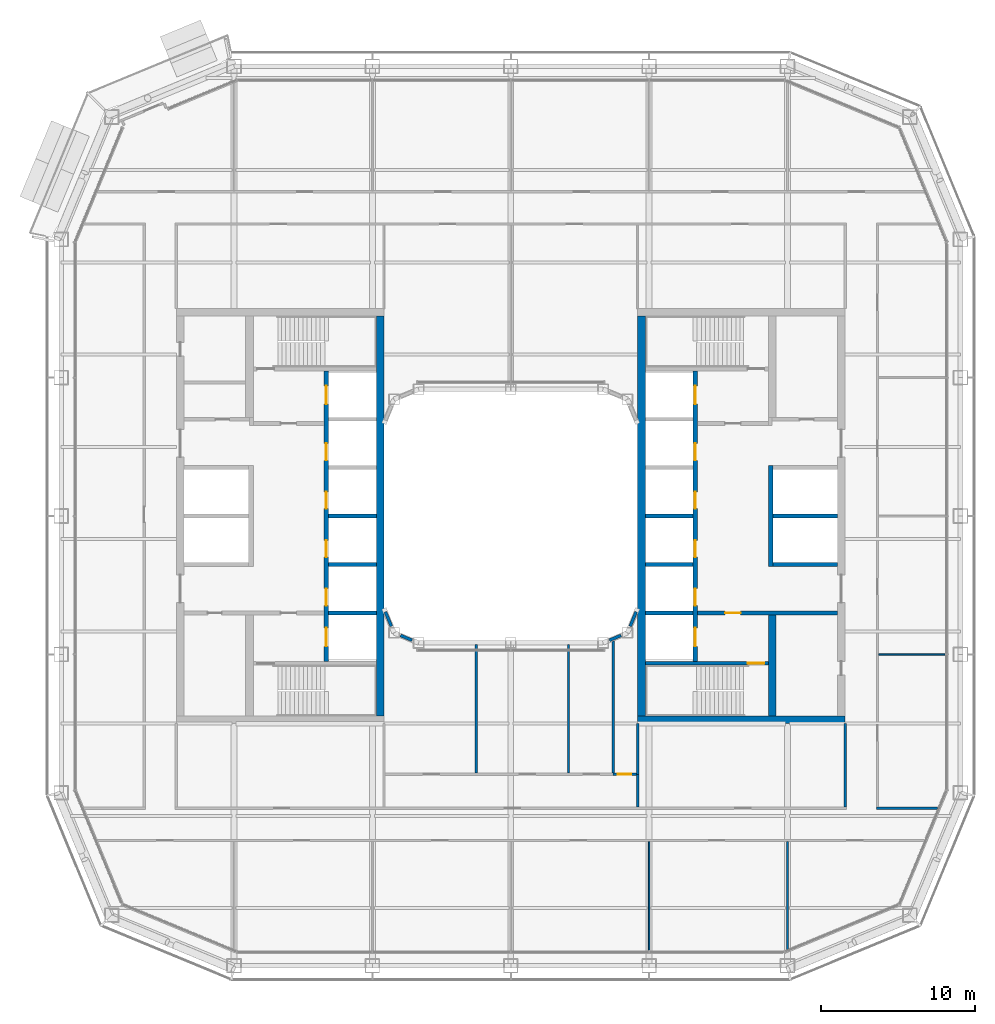
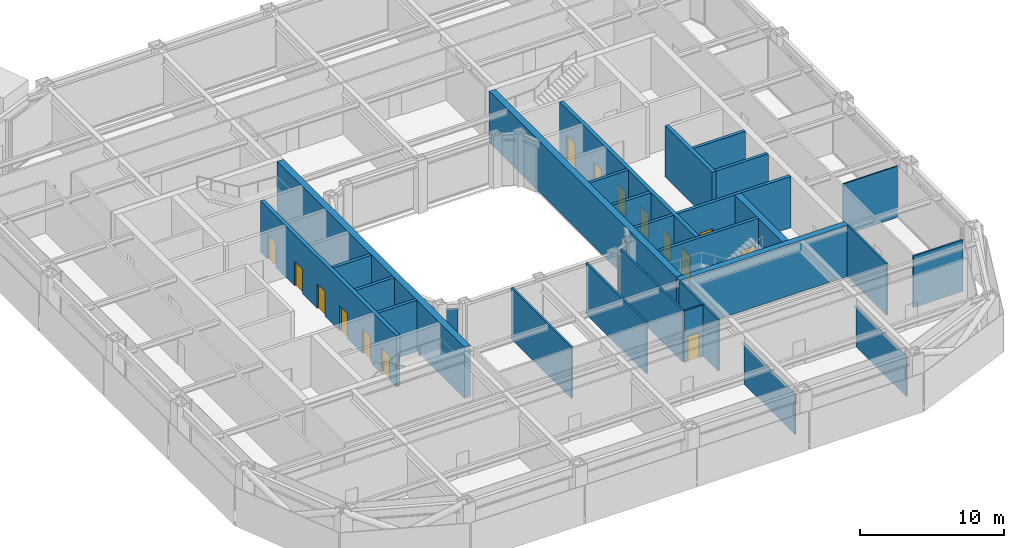
# One storey, part 12 of 23: 32 walls, 15 doors, 15 openings.
"""IFC4 building model written with IfcOpenShell, lengths in metres."""

import ifcopenshell
import ifcopenshell.guid

model = None  # the IFC model being written
_history = None  # IfcOwnerHistory: only IFC2X3 demands one
_inside = {}  # id of a spatial element -> (the spatial element, [elements in it])
_under = {}  # id of a project, library or spatial element -> (it, [spatial elements below it])
_declared = {}  # id of a project -> (the project, [libraries it declares])
_typed = {}  # id of a type object -> (the type object, [elements of that type])
_made_of = {}  # id of a material, layer set ... -> (it, [elements and type objects made of it])


def new_model(schema):
    """Start an empty IFC model of exactly this schema.

    Asked for "IFC4X3", IfcOpenShell would pick the latest addendum, in which some entities
    have other attributes; the version numbers below select the first issue.
    IFC2X3 requires an IfcOwnerHistory on every rooted entity: one is made here for all.
    """
    global model, _history
    if schema == "IFC4X3":
        model = ifcopenshell.file(schema_version=(4, 3, 0, 0))
    else:
        model = ifcopenshell.file(schema=schema)
    _inside.clear()
    _under.clear()
    _declared.clear()
    _typed.clear()
    _made_of.clear()
    _history = None
    if model.schema == "IFC2X3":
        org = make("IfcOrganization", Name="unknown")
        user = make(
            "IfcPersonAndOrganization",
            ThePerson=make("IfcPerson", FamilyName="unknown"),
            TheOrganization=org,
        )
        app = make(
            "IfcApplication",
            ApplicationDeveloper=org,
            Version="unknown",
            ApplicationFullName="unknown",
            ApplicationIdentifier="unknown",
        )
        _history = make(
            "IfcOwnerHistory",
            OwningUser=user,
            OwningApplication=app,
            ChangeAction="ADDED",
            CreationDate=0,
        )
    return model


def make(cls, **values):
    """One entity of the class cls with the attributes given. An attribute that is None is left unset."""
    return model.create_entity(
        cls, **{name: value for name, value in values.items() if value is not None}
    )


def rooted(cls, **values):
    """An entity with a GlobalId (a new one), such as an element, a storey or a relation."""
    return make(cls, GlobalId=ifcopenshell.guid.new(), OwnerHistory=_history, **values)


def si_unit(unit_type, name, prefix=None):
    """IfcSIUnit, for example si_unit("LENGTHUNIT", "METRE", prefix="MILLI")."""
    return make("IfcSIUnit", UnitType=unit_type, Prefix=prefix, Name=name)


def assignment(units):
    """IfcUnitAssignment: the units of a project."""
    return None if units is None else make("IfcUnitAssignment", Units=units)


def point(xyz):
    """IfcCartesianPoint."""
    return None if xyz is None else make("IfcCartesianPoint", Coordinates=xyz)


def direction(xyz):
    """IfcDirection."""
    return None if xyz is None else make("IfcDirection", DirectionRatios=xyz)


def frame(location, z_axis=None, x_axis=None):
    """IfcAxis2Placement3D, a coordinate frame: its origin and axes. An axis left out is left unset."""
    return make(
        "IfcAxis2Placement3D",
        Location=point(location),
        Axis=direction(z_axis),
        RefDirection=direction(x_axis),
    )


def frame_2d(location, x_axis=None):
    """IfcAxis2Placement2D, a coordinate frame in the plane: its origin and x axis."""
    return make(
        "IfcAxis2Placement2D", Location=point(location), RefDirection=direction(x_axis)
    )


def origin():
    """The frame at (0, 0, 0) with its axes left unset."""
    return frame((0.0, 0.0, 0.0))


def place(relative_to, where):
    """IfcLocalPlacement: puts the frame where relative to a parent placement (None: the world)."""
    return make(
        "IfcLocalPlacement", PlacementRelTo=relative_to, RelativePlacement=where
    )


def context(
    kind, dimensions, precision=None, world=None, true_north=None, identifier=None
):
    """IfcGeometricRepresentationContext, for example the 3D "Model" context."""
    return make(
        "IfcGeometricRepresentationContext",
        ContextIdentifier=identifier,
        ContextType=kind,
        CoordinateSpaceDimension=dimensions,
        Precision=precision,
        WorldCoordinateSystem=world,
        TrueNorth=true_north,
    )


def subcontext(parent, identifier, kind, view, scale=None):
    """IfcGeometricRepresentationSubContext, for example "Body" below "Model"."""
    return make(
        "IfcGeometricRepresentationSubContext",
        ContextIdentifier=identifier,
        ContextType=kind,
        ParentContext=parent,
        TargetScale=scale,
        TargetView=view,
    )


def project(units=None, contexts=None):
    """IfcProject with its units and contexts."""
    return rooted(
        "IfcProject",
        Name="project",
        RepresentationContexts=contexts,
        UnitsInContext=assignment(units),
    )


def spatial(cls, under=None, at=None, **own):
    """A site, building, storey or space (cls), placed at a placement, below another one or the project."""
    s = rooted(cls, ObjectPlacement=at, **own)
    if under is not None:
        _under.setdefault(under.id(), (under, []))[1].append(s)
    return s


def profile(cls, at=None, kind="AREA", **sizes):
    """A parametric profile (cls). Its sizes go by their IFC names, for example OverallWidth=200.0."""
    return make(cls, ProfileType=kind, Position=at, **sizes)


def rectangle(**sizes):
    """IfcRectangleProfileDef."""
    return profile("IfcRectangleProfileDef", **sizes)


def extrude(swept, where, along, depth):
    """IfcExtrudedAreaSolid: the profile swept, set in the frame where, extruded along a direction by depth."""
    return make(
        "IfcExtrudedAreaSolid",
        SweptArea=swept,
        Position=where,
        ExtrudedDirection=direction(along),
        Depth=depth,
    )


def shape(context_of_items, identifier, shape_type, items):
    """IfcShapeRepresentation: the items that make up one representation, for example the "Body"."""
    return make(
        "IfcShapeRepresentation",
        ContextOfItems=context_of_items,
        RepresentationIdentifier=identifier,
        RepresentationType=shape_type,
        Items=items,
    )


def material(Name=None, Category=None):
    """IfcMaterial."""
    return make("IfcMaterial", Name=Name, Category=Category)


def layer(
    of_material, thickness, ventilated=None, Name=None, Category=None, Priority=None
):
    """IfcMaterialLayer: one layer of a wall or slab, of a material (None: an air gap)."""
    return make(
        "IfcMaterialLayer",
        Material=of_material,
        LayerThickness=thickness,
        IsVentilated=ventilated,
        Name=Name,
        Category=Category,
        Priority=Priority,
    )


def layer_set(layers, Name=None):
    """IfcMaterialLayerSet."""
    return make("IfcMaterialLayerSet", MaterialLayers=layers, LayerSetName=Name)


def made_of(thing, what):
    """Note that an element or type object is made of a material, layer set ...; save() writes the relation."""
    if what is not None:
        _made_of.setdefault(what.id(), (what, []))[1].append(thing)
    return thing


def type_object(cls, material=None, **own):
    """A type object (cls), such as IfcWallType, which elements share."""
    return made_of(rooted(cls, **own), material)


def element(
    cls,
    number,
    at=None,
    inside=None,
    cuts=None,
    type_object=None,
    material=None,
    context=None,
    identifier="Body",
    shape_type=None,
    held_by="IfcProductDefinitionShape",
    body=None,
    shapes=None,
    **own,
):
    """One element of the class cls, such as IfcWall. Its Tag is "e" and its number.

    at: its placement. inside: the storey or other place that contains it. cuts: it is an
    opening in that element (IfcRelVoidsElement). A single representation is given by context,
    identifier, shape_type and body (its items); several are given by shapes. held_by: the class
    of the entity that holds the representations. save() writes the other relations.
    """
    e = rooted(cls, Tag="e%d" % number, ObjectPlacement=at, **own)
    if body is not None:
        shapes = [shape(context, identifier, shape_type, body)]
    if shapes is not None:
        e.Representation = make(held_by, Representations=shapes)
    if inside is not None:
        _inside.setdefault(inside.id(), (inside, []))[1].append(e)
    if cuts is not None:
        rooted(
            "IfcRelVoidsElement", RelatingBuildingElement=cuts, RelatedOpeningElement=e
        )
    if type_object is not None:
        _typed.setdefault(type_object.id(), (type_object, []))[1].append(e)
    return made_of(e, material)


def fill(opening, filler):
    """IfcRelFillsElement: the door or window that sits in an opening."""
    return rooted(
        "IfcRelFillsElement",
        RelatingOpeningElement=opening,
        RelatedBuildingElement=filler,
    )


def aggregate(whole, parts):
    """IfcRelAggregates: a whole, such as a stair, and the parts it consists of."""
    return rooted("IfcRelAggregates", RelatingObject=whole, RelatedObjects=parts)


def save(model, path):
    """Write the relations noted so far, then the file.

    IfcRelAggregates (storeys below a building ...), IfcRelContainedInSpatialStructure (elements
    in a storey), IfcRelDefinesByType, IfcRelAssociatesMaterial and IfcRelDeclares: one each for
    every whole, place, type object, material and project.
    """
    for whole, parts in _under.values():
        aggregate(whole, parts)
    for where, things in _inside.values():
        rooted(
            "IfcRelContainedInSpatialStructure",
            RelatedElements=things,
            RelatingStructure=where,
        )
    for kind, things in _typed.values():
        rooted("IfcRelDefinesByType", RelatedObjects=things, RelatingType=kind)
    for what, things in _made_of.values():
        rooted("IfcRelAssociatesMaterial", RelatedObjects=things, RelatingMaterial=what)
    for by, libraries in _declared.values():
        rooted("IfcRelDeclares", RelatingContext=by, RelatedDefinitions=libraries)
    model.write(path)


model = new_model("IFC4")

# Units and contexts
model_context = context("Model", 3, precision=1e-05, world=origin(), true_north=direction((0.0, 1.0)))
body_context = subcontext(model_context, "Body", "Model", "MODEL_VIEW")
ifc_project = project(units=[si_unit("LENGTHUNIT", "METRE"), si_unit("AREAUNIT", "SQUARE_METRE"), si_unit("VOLUMEUNIT", "CUBIC_METRE"), si_unit("PLANEANGLEUNIT", "RADIAN"), si_unit("MASSUNIT", "GRAM", prefix="KILO")], contexts=[model_context])

# Site, building, storey
site_placement = place(None, origin())
site = spatial("IfcSite", under=ifc_project, at=site_placement, CompositionType="ELEMENT")
building_placement = place(site_placement, origin())
building = spatial("IfcBuilding", under=site, at=building_placement, Name="Siwar Civic Tower", CompositionType="ELEMENT")
storey_placement = place(building_placement, frame((0.0, 0.0, 136.199951171875)))
storey = spatial("IfcBuildingStorey", under=building, at=storey_placement, Name="L29", CompositionType="ELEMENT", Elevation=136.199951171875)

# Wall, opening, door
ifc_material_1 = material(Name="Gypsum board on steel studs", Category="steel")
ifc_layer_1 = layer(ifc_material_1, 0.14990234375)
ifc_layer_set_1 = layer_set([ifc_layer_1], Name="Gypsum board on steel studs")
wall_type_1 = type_object("IfcWallType", Name="COMPARTMENT PARTITION 150 EI 60", PredefinedType="PARTITIONING", material=ifc_layer_set_1)
wall_1_placement = place(storey_placement, frame((6.659912109375, -16.800048828125, 0.0), z_axis=(0.0, 0.0, 1.0), x_axis=(1.0, 0.0, 0.0)))
wall_1 = element("IfcWall", 1, at=wall_1_placement, inside=storey, type_object=wall_type_1, Name="L29/wall/P06", PredefinedType="PARTITIONING", context=body_context, shape_type="SweptSolid", body=[
    extrude(rectangle(XDim=1.51513671875, YDim=0.14990234375, at=frame_2d((0.757568359375, 0.0))), origin(), (0.0, 0.0, 1.0), 4.35009765625),
])
opening_1_placement = place(wall_1_placement, frame((0.2900390625, 0.0, 0.0)))
opening_1 = element("IfcOpeningElement", 2, at=opening_1_placement, cuts=wall_1, Name="Opening D4", PredefinedType="OPENING", context=body_context, shape_type="SweptSolid", body=[
    extrude(rectangle(XDim=0.89990234375, YDim=2.10009765625, at=frame_2d((0.449951171875, 1.050048828125))), frame((0.0, 0.0849609375, 0.0), z_axis=(0.0, -1.0, 0.0), x_axis=(1.0, 0.0, 0.0)), (0.0, 0.0, 1.0), 0.169921875),
])
ifc_material_2 = material(Name="Timber, painted", Category="wood")
door_type_1 = type_object("IfcDoorType", Name="DOOR 900 X 2100 FD60", OperationType="SINGLE_SWING_LEFT", PredefinedType="DOOR", material=ifc_material_2)
door_1_placement = place(opening_1_placement, origin())
door_1 = element("IfcDoor", 3, at=door_1_placement, inside=storey, type_object=door_type_1, Name="L29-D19", OperationType="SINGLE_SWING_LEFT", OverallHeight=2.10009765625, OverallWidth=0.89990234375, PredefinedType="DOOR", context=body_context, shape_type="SweptSolid", body=[
    extrude(rectangle(XDim=0.89990234375, YDim=2.10009765625, at=frame_2d((0.449951171875, 1.050048828125))), frame((0.0, 0.02490234375, 0.0), z_axis=(0.0, -1.0, 0.0), x_axis=(1.0, 0.0, 0.0)), (0.0, 0.0, 1.0), 0.050048828125),
])
fill(opening_1, door_1)

# Walls
wall_2_placement = place(storey_placement, frame((6.659912109375, -16.72509765625, 0.0), z_axis=(0.0, 0.0, 1.0), x_axis=(0.0, 1.0, 0.0)))
element("IfcWall", 4, at=wall_2_placement, inside=storey, type_object=wall_type_1, Name="L29/wall/P28", PredefinedType="PARTITIONING", context=body_context, shape_type="SweptSolid", body=[
    extrude(rectangle(XDim=8.59814453125, YDim=0.14990234375, at=frame_2d((4.299072265625, 0.0))), origin(), (0.0, 0.0, 1.0), 4.35009765625),
])
wall_3_placement = place(storey_placement, frame((8.25, -16.800048828125, 0.0), z_axis=(0.0, 0.0, 1.0), x_axis=(0.0, 1.0, 0.0)))
element("IfcWall", 5, at=wall_3_placement, inside=storey, type_object=wall_type_1, Name="L29/wall/P31", PredefinedType="PARTITIONING", context=body_context, shape_type="SweptSolid", body=[
    extrude(rectangle(XDim=3.300048828125, YDim=0.14990234375, at=frame_2d((1.64990234375, 0.0))), origin(), (0.0, 0.0, 1.0), 4.35009765625),
])
ifc_material_3 = material(Name="Concrete C60/75", Category="concrete")
ifc_layer_2 = layer(ifc_material_3, 0.25)
ifc_layer_set_2 = layer_set([ifc_layer_2], Name="Concrete C60/75")
wall_type_2 = type_object("IfcWallType", Name="CORE-WALL-RC250", PredefinedType="SHEAR", material=ifc_layer_set_2)
for number, where, z_axis, x_axis, name in (
    (6, (-8.75, 0.0, 0.0), (0.0, 0.0, 1.0), (-1.0, 0.0, 0.0), "Core wall W"),
    (7, (-8.75, -3.14990234375, 0.0), (0.0, 0.0, 1.0), (-1.0, 0.0, 0.0), "Core wall W"),
    (8, (-8.75, -6.300048828125, 0.0), (0.0, 0.0, 1.0), (-1.0, 0.0, 0.0), "Core wall W"),
):
    element("IfcWall", number, at=place(storey_placement, frame(where, z_axis=z_axis, x_axis=x_axis)), inside=storey, type_object=wall_type_2, Name=name, PredefinedType="SHEAR", context=body_context, shape_type="SweptSolid", body=[
        extrude(rectangle(XDim=3.10009765625, YDim=0.25, at=frame_2d((1.550048828125, 0.0))), origin(), (0.0, 0.0, 1.0), 4.35009765625),
    ])

# Wall, opening, door
wall_4_placement = place(storey_placement, frame((12.14990234375, -6.300048828125, 0.0), z_axis=(0.0, 0.0, 1.0), x_axis=(1.0, 0.0, 0.0)))
wall_4 = element("IfcWall", 9, at=wall_4_placement, inside=storey, type_object=wall_type_2, Name="Core wall E", PredefinedType="SHEAR", context=body_context, shape_type="SweptSolid", body=[
    extrude(rectangle(XDim=9.10009765625, YDim=0.25, at=frame_2d((4.550048828125, 0.0))), origin(), (0.0, 0.0, 1.0), 4.35009765625),
])
opening_2_placement = place(wall_4_placement, frame((1.800048828125, 0.0, 0.0)))
opening_2 = element("IfcOpeningElement", 10, at=opening_2_placement, cuts=wall_4, Name="Opening L29-CE02", PredefinedType="OPENING", context=body_context, shape_type="SweptSolid", body=[
    extrude(rectangle(XDim=1.0, YDim=2.10009765625, at=frame_2d((0.5, 1.050048828125))), frame((0.0, 0.135009765625, 0.0), z_axis=(0.0, -1.0, 0.0), x_axis=(1.0, 0.0, 0.0)), (0.0, 0.0, 1.0), 0.27001953125),
])
ifc_material_4 = material(Name="Steel door leaf", Category="steel")
door_type_2 = type_object("IfcDoorType", Name="CORE-DOOR-FD30S", OperationType="SINGLE_SWING_LEFT", PredefinedType="DOOR", material=ifc_material_4)
door_2_placement = place(opening_2_placement, origin())
door_2 = element("IfcDoor", 11, at=door_2_placement, inside=storey, type_object=door_type_2, Name="Service lobby door L29-CE02", OperationType="SINGLE_SWING_LEFT", OverallHeight=2.10009765625, OverallWidth=1.0, PredefinedType="DOOR", context=body_context, shape_type="SweptSolid", body=[
    extrude(rectangle(XDim=1.0, YDim=2.10009765625, at=frame_2d((0.5, 1.050048828125))), frame((0.0, 0.02490234375, 0.0), z_axis=(0.0, -1.0, 0.0), x_axis=(1.0, 0.0, 0.0)), (0.0, 0.0, 1.0), 0.050048828125),
])
fill(opening_2, door_2)

# Walls
for number, where, z_axis, x_axis, name in (
    (12, (17.050048828125, 0.0, 0.0), (0.0, 0.0, 1.0), (1.0, 0.0, 0.0), "Core wall E"),
    (13, (17.050048828125, -3.14990234375, 0.0), (0.0, 0.0, 1.0), (1.0, 0.0, 0.0), "Core wall E"),
):
    element("IfcWall", number, at=place(storey_placement, frame(where, z_axis=z_axis, x_axis=x_axis)), inside=storey, type_object=wall_type_2, Name=name, PredefinedType="SHEAR", context=body_context, shape_type="SweptSolid", body=[
        extrude(rectangle(XDim=4.199951171875, YDim=0.25, at=frame_2d((2.10009765625, 0.0))), origin(), (0.0, 0.0, 1.0), 4.35009765625),
    ])
for number, where, z_axis, x_axis, name in (
    (14, (8.75, 0.0, 0.0), (0.0, 0.0, 1.0), (1.0, 0.0, 0.0), "Core wall E"),
    (15, (8.75, -3.14990234375, 0.0), (0.0, 0.0, 1.0), (1.0, 0.0, 0.0), "Core wall E"),
    (16, (8.75, -6.300048828125, 0.0), (0.0, 0.0, 1.0), (1.0, 0.0, 0.0), "Core wall E"),
):
    element("IfcWall", number, at=place(storey_placement, frame(where, z_axis=z_axis, x_axis=x_axis)), inside=storey, type_object=wall_type_2, Name=name, PredefinedType="SHEAR", context=body_context, shape_type="SweptSolid", body=[
        extrude(rectangle(XDim=3.10009765625, YDim=0.25, at=frame_2d((1.550048828125, 0.0))), origin(), (0.0, 0.0, 1.0), 4.35009765625),
    ])

# Wall, opening, door
wall_5_placement = place(storey_placement, frame((8.75, -9.574951171875, 0.0), z_axis=(0.0, 0.0, 1.0), x_axis=(1.0, 0.0, 0.0)))
wall_5 = element("IfcWall", 17, at=wall_5_placement, inside=storey, type_object=wall_type_2, Name="Core wall E", PredefinedType="SHEAR", context=body_context, shape_type="SweptSolid", body=[
    extrude(rectangle(XDim=8.0, YDim=0.25, at=frame_2d((4.0, 0.0))), origin(), (0.0, 0.0, 1.0), 4.35009765625),
])
opening_3_placement = place(wall_5_placement, frame((6.64990234375, 0.0, 0.0)))
opening_3 = element("IfcOpeningElement", 18, at=opening_3_placement, cuts=wall_5, Name="Opening L29-CE04", PredefinedType="OPENING", context=body_context, shape_type="SweptSolid", body=[
    extrude(rectangle(XDim=1.10009765625, YDim=2.10009765625, at=frame_2d((0.550048828125, 1.050048828125))), frame((0.0, 0.135009765625, 0.0), z_axis=(0.0, -1.0, 0.0), x_axis=(1.0, 0.0, 0.0)), (0.0, 0.0, 1.0), 0.27001953125),
])
ifc_material_5 = material(Name="Steel door leaf", Category="steel")
door_type_3 = type_object("IfcDoorType", Name="CORE-DOOR-FD60S", OperationType="SINGLE_SWING_LEFT", PredefinedType="DOOR", material=ifc_material_5)
door_3_placement = place(opening_3_placement, origin())
door_3 = element("IfcDoor", 19, at=door_3_placement, inside=storey, type_object=door_type_3, Name="Stair door L29-CE04", OperationType="SINGLE_SWING_RIGHT", OverallHeight=2.10009765625, OverallWidth=1.10009765625, PredefinedType="DOOR", context=body_context, shape_type="SweptSolid", body=[
    extrude(rectangle(XDim=1.10009765625, YDim=2.10009765625, at=frame_2d((0.550048828125, 1.050048828125))), frame((0.0, 0.02490234375, 0.0), z_axis=(0.0, -1.0, 0.0), x_axis=(1.0, 0.0, 0.0)), (0.0, 0.0, 1.0), 0.050048828125),
])
fill(opening_3, door_3)

# Wall, openings, doors
ifc_material_6 = material(Name="Concrete C60/75", Category="concrete")
ifc_layer_3 = layer(ifc_material_6, 0.300048828125)
ifc_layer_set_3 = layer_set([ifc_layer_3], Name="Concrete C60/75")
wall_type_3 = type_object("IfcWallType", Name="CORE-WALL-RC300", PredefinedType="SHEAR", material=ifc_layer_set_3)
wall_6_placement = place(storey_placement, frame((-12.0, -9.449951171875, 0.0), z_axis=(0.0, 0.0, 1.0), x_axis=(0.0, 1.0, 0.0)))
wall_6 = element("IfcWall", 20, at=wall_6_placement, inside=storey, type_object=wall_type_3, Name="Core wall W", PredefinedType="SHEAR", context=body_context, shape_type="SweptSolid", body=[
    extrude(rectangle(XDim=18.89990234375, YDim=0.300048828125, at=frame_2d((9.449951171875, 0.0))), origin(), (0.0, 0.0, 1.0), 4.35009765625),
])
opening_4_placement = place(wall_6_placement, frame((3.625, 0.0, 0.0)))
opening_4 = element("IfcOpeningElement", 21, at=opening_4_placement, cuts=wall_6, Name="Opening L29-CW07", PredefinedType="OPENING", context=body_context, shape_type="SweptSolid", body=[
    extrude(rectangle(XDim=1.10009765625, YDim=2.10009765625, at=frame_2d((0.550048828125, 1.050048828125))), frame((0.0, 0.16015625, 0.0), z_axis=(0.0, -1.0, 0.0), x_axis=(1.0, 0.0, 0.0)), (0.0, 0.0, 1.0), 0.320068359375),
])
opening_5_placement = place(wall_6_placement, frame((6.77490234375, 0.0, 0.0)))
opening_5 = element("IfcOpeningElement", 22, at=opening_5_placement, cuts=wall_6, Name="Opening L29-CW08", PredefinedType="OPENING", context=body_context, shape_type="SweptSolid", body=[
    extrude(rectangle(XDim=1.10009765625, YDim=2.10009765625, at=frame_2d((0.550048828125, 1.050048828125))), frame((0.0, 0.16015625, 0.0), z_axis=(0.0, -1.0, 0.0), x_axis=(1.0, 0.0, 0.0)), (0.0, 0.0, 1.0), 0.320068359375),
])
opening_6_placement = place(wall_6_placement, frame((9.925048828125, 0.0, 0.0)))
opening_6 = element("IfcOpeningElement", 23, at=opening_6_placement, cuts=wall_6, Name="Opening L29-CW09", PredefinedType="OPENING", context=body_context, shape_type="SweptSolid", body=[
    extrude(rectangle(XDim=1.10009765625, YDim=2.10009765625, at=frame_2d((0.550048828125, 1.050048828125))), frame((0.0, 0.16015625, 0.0), z_axis=(0.0, -1.0, 0.0), x_axis=(1.0, 0.0, 0.0)), (0.0, 0.0, 1.0), 0.320068359375),
])
opening_7_placement = place(wall_6_placement, frame((13.074951171875, 0.0, 0.0)))
opening_7 = element("IfcOpeningElement", 24, at=opening_7_placement, cuts=wall_6, Name="Opening L29-CW10", PredefinedType="OPENING", context=body_context, shape_type="SweptSolid", body=[
    extrude(rectangle(XDim=1.10009765625, YDim=2.10009765625, at=frame_2d((0.550048828125, 1.050048828125))), frame((0.0, 0.16015625, 0.0), z_axis=(0.0, -1.0, 0.0), x_axis=(1.0, 0.0, 0.0)), (0.0, 0.0, 1.0), 0.320068359375),
])
opening_8_placement = place(wall_6_placement, frame((16.72509765625, 0.0, 0.0)))
opening_8 = element("IfcOpeningElement", 25, at=opening_8_placement, cuts=wall_6, Name="Opening L29-CW11", PredefinedType="OPENING", context=body_context, shape_type="SweptSolid", body=[
    extrude(rectangle(XDim=1.199951171875, YDim=2.10009765625, at=frame_2d((0.60009765625, 1.050048828125))), frame((0.0, 0.16015625, 0.0), z_axis=(0.0, -1.0, 0.0), x_axis=(1.0, 0.0, 0.0)), (0.0, 0.0, 1.0), 0.320068359375),
])
opening_9_placement = place(wall_6_placement, frame((0.97509765625, 0.0, 0.0)))
opening_9 = element("IfcOpeningElement", 26, at=opening_9_placement, cuts=wall_6, Name="Opening L29-CW12", PredefinedType="OPENING", context=body_context, shape_type="SweptSolid", body=[
    extrude(rectangle(XDim=1.199951171875, YDim=2.10009765625, at=frame_2d((0.60009765625, 1.050048828125))), frame((0.0, 0.16015625, 0.0), z_axis=(0.0, -1.0, 0.0), x_axis=(1.0, 0.0, 0.0)), (0.0, 0.0, 1.0), 0.320068359375),
])
ifc_material_7 = material(Name="Steel door leaf", Category="steel")
door_type_4 = type_object("IfcDoorType", Name="CORE-DOOR-LD", OperationType="DOUBLE_DOOR_SLIDING", PredefinedType="DOOR", material=ifc_material_7)
door_4_placement = place(opening_4_placement, origin())
door_4 = element("IfcDoor", 27, at=door_4_placement, inside=storey, type_object=door_type_4, Name="Landing door LR1 L29-CW07", OperationType="DOUBLE_DOOR_SLIDING", OverallHeight=2.10009765625, OverallWidth=1.10009765625, PredefinedType="DOOR", context=body_context, shape_type="SweptSolid", body=[
    extrude(rectangle(XDim=1.10009765625, YDim=2.10009765625, at=frame_2d((0.550048828125, 1.050048828125))), frame((0.0, 0.02490234375, 0.0), z_axis=(0.0, -1.0, 0.0), x_axis=(1.0, 0.0, 0.0)), (0.0, 0.0, 1.0), 0.050048828125),
])
fill(opening_4, door_4)
door_5_placement = place(opening_5_placement, origin())
door_5 = element("IfcDoor", 28, at=door_5_placement, inside=storey, type_object=door_type_4, Name="Landing door LR2 L29-CW08", OperationType="DOUBLE_DOOR_SLIDING", OverallHeight=2.10009765625, OverallWidth=1.10009765625, PredefinedType="DOOR", context=body_context, shape_type="SweptSolid", body=[
    extrude(rectangle(XDim=1.10009765625, YDim=2.10009765625, at=frame_2d((0.550048828125, 1.050048828125))), frame((0.0, 0.02490234375, 0.0), z_axis=(0.0, -1.0, 0.0), x_axis=(1.0, 0.0, 0.0)), (0.0, 0.0, 1.0), 0.050048828125),
])
fill(opening_5, door_5)
door_6_placement = place(opening_6_placement, origin())
door_6 = element("IfcDoor", 29, at=door_6_placement, inside=storey, type_object=door_type_4, Name="Landing door LR3 L29-CW09", OperationType="DOUBLE_DOOR_SLIDING", OverallHeight=2.10009765625, OverallWidth=1.10009765625, PredefinedType="DOOR", context=body_context, shape_type="SweptSolid", body=[
    extrude(rectangle(XDim=1.10009765625, YDim=2.10009765625, at=frame_2d((0.550048828125, 1.050048828125))), frame((0.0, 0.02490234375, 0.0), z_axis=(0.0, -1.0, 0.0), x_axis=(1.0, 0.0, 0.0)), (0.0, 0.0, 1.0), 0.050048828125),
])
fill(opening_6, door_6)
door_7_placement = place(opening_7_placement, origin())
door_7 = element("IfcDoor", 30, at=door_7_placement, inside=storey, type_object=door_type_4, Name="Landing door LR4 L29-CW10", OperationType="DOUBLE_DOOR_SLIDING", OverallHeight=2.10009765625, OverallWidth=1.10009765625, PredefinedType="DOOR", context=body_context, shape_type="SweptSolid", body=[
    extrude(rectangle(XDim=1.10009765625, YDim=2.10009765625, at=frame_2d((0.550048828125, 1.050048828125))), frame((0.0, 0.02490234375, 0.0), z_axis=(0.0, -1.0, 0.0), x_axis=(1.0, 0.0, 0.0)), (0.0, 0.0, 1.0), 0.050048828125),
])
fill(opening_7, door_7)
ifc_material_8 = material(Name="Steel door leaf", Category="steel")
door_type_5 = type_object("IfcDoorType", Name="CORE-DOOR-LDW", OperationType="DOUBLE_DOOR_SLIDING", PredefinedType="DOOR", material=ifc_material_8)
door_8_placement = place(opening_8_placement, origin())
door_8 = element("IfcDoor", 31, at=door_8_placement, inside=storey, type_object=door_type_5, Name="Landing door FF1 L29-CW11", OperationType="DOUBLE_DOOR_SLIDING", OverallHeight=2.10009765625, OverallWidth=1.199951171875, PredefinedType="DOOR", context=body_context, shape_type="SweptSolid", body=[
    extrude(rectangle(XDim=1.199951171875, YDim=2.10009765625, at=frame_2d((0.60009765625, 1.050048828125))), frame((0.0, 0.02490234375, 0.0), z_axis=(0.0, -1.0, 0.0), x_axis=(1.0, 0.0, 0.0)), (0.0, 0.0, 1.0), 0.050048828125),
])
fill(opening_8, door_8)
door_9_placement = place(opening_9_placement, origin())
door_9 = element("IfcDoor", 32, at=door_9_placement, inside=storey, type_object=door_type_5, Name="Landing door SV1 L29-CW12", OperationType="DOUBLE_DOOR_SLIDING", OverallHeight=2.10009765625, OverallWidth=1.199951171875, PredefinedType="DOOR", context=body_context, shape_type="SweptSolid", body=[
    extrude(rectangle(XDim=1.199951171875, YDim=2.10009765625, at=frame_2d((0.60009765625, 1.050048828125))), frame((0.0, 0.02490234375, 0.0), z_axis=(0.0, -1.0, 0.0), x_axis=(1.0, 0.0, 0.0)), (0.0, 0.0, 1.0), 0.050048828125),
])
fill(opening_9, door_9)

wall_7_placement = place(storey_placement, frame((12.0, -9.449951171875, 0.0), z_axis=(0.0, 0.0, 1.0), x_axis=(0.0, 1.0, 0.0)))
wall_7 = element("IfcWall", 33, at=wall_7_placement, inside=storey, type_object=wall_type_3, Name="Core wall E", PredefinedType="SHEAR", context=body_context, shape_type="SweptSolid", body=[
    extrude(rectangle(XDim=18.89990234375, YDim=0.300048828125, at=frame_2d((9.449951171875, 0.0))), origin(), (0.0, 0.0, 1.0), 4.35009765625),
])
opening_10_placement = place(wall_7_placement, frame((3.625, 0.0, 0.0)))
opening_10 = element("IfcOpeningElement", 34, at=opening_10_placement, cuts=wall_7, Name="Opening L29-CE07", PredefinedType="OPENING", context=body_context, shape_type="SweptSolid", body=[
    extrude(rectangle(XDim=1.10009765625, YDim=2.10009765625, at=frame_2d((0.550048828125, 1.050048828125))), frame((0.0, 0.16015625, 0.0), z_axis=(0.0, -1.0, 0.0), x_axis=(1.0, 0.0, 0.0)), (0.0, 0.0, 1.0), 0.320068359375),
])
opening_11_placement = place(wall_7_placement, frame((6.77490234375, 0.0, 0.0)))
opening_11 = element("IfcOpeningElement", 35, at=opening_11_placement, cuts=wall_7, Name="Opening L29-CE08", PredefinedType="OPENING", context=body_context, shape_type="SweptSolid", body=[
    extrude(rectangle(XDim=1.10009765625, YDim=2.10009765625, at=frame_2d((0.550048828125, 1.050048828125))), frame((0.0, 0.16015625, 0.0), z_axis=(0.0, -1.0, 0.0), x_axis=(1.0, 0.0, 0.0)), (0.0, 0.0, 1.0), 0.320068359375),
])
opening_12_placement = place(wall_7_placement, frame((9.925048828125, 0.0, 0.0)))
opening_12 = element("IfcOpeningElement", 36, at=opening_12_placement, cuts=wall_7, Name="Opening L29-CE09", PredefinedType="OPENING", context=body_context, shape_type="SweptSolid", body=[
    extrude(rectangle(XDim=1.10009765625, YDim=2.10009765625, at=frame_2d((0.550048828125, 1.050048828125))), frame((0.0, 0.16015625, 0.0), z_axis=(0.0, -1.0, 0.0), x_axis=(1.0, 0.0, 0.0)), (0.0, 0.0, 1.0), 0.320068359375),
])
opening_13_placement = place(wall_7_placement, frame((13.074951171875, 0.0, 0.0)))
opening_13 = element("IfcOpeningElement", 37, at=opening_13_placement, cuts=wall_7, Name="Opening L29-CE10", PredefinedType="OPENING", context=body_context, shape_type="SweptSolid", body=[
    extrude(rectangle(XDim=1.10009765625, YDim=2.10009765625, at=frame_2d((0.550048828125, 1.050048828125))), frame((0.0, 0.16015625, 0.0), z_axis=(0.0, -1.0, 0.0), x_axis=(1.0, 0.0, 0.0)), (0.0, 0.0, 1.0), 0.320068359375),
])
opening_14_placement = place(wall_7_placement, frame((16.72509765625, 0.0, 0.0)))
opening_14 = element("IfcOpeningElement", 38, at=opening_14_placement, cuts=wall_7, Name="Opening L29-CE11", PredefinedType="OPENING", context=body_context, shape_type="SweptSolid", body=[
    extrude(rectangle(XDim=1.199951171875, YDim=2.10009765625, at=frame_2d((0.60009765625, 1.050048828125))), frame((0.0, 0.16015625, 0.0), z_axis=(0.0, -1.0, 0.0), x_axis=(1.0, 0.0, 0.0)), (0.0, 0.0, 1.0), 0.320068359375),
])
opening_15_placement = place(wall_7_placement, frame((0.97509765625, 0.0, 0.0)))
opening_15 = element("IfcOpeningElement", 39, at=opening_15_placement, cuts=wall_7, Name="Opening L29-CE12", PredefinedType="OPENING", context=body_context, shape_type="SweptSolid", body=[
    extrude(rectangle(XDim=1.199951171875, YDim=2.10009765625, at=frame_2d((0.60009765625, 1.050048828125))), frame((0.0, 0.16015625, 0.0), z_axis=(0.0, -1.0, 0.0), x_axis=(1.0, 0.0, 0.0)), (0.0, 0.0, 1.0), 0.320068359375),
])
door_10_placement = place(opening_10_placement, origin())
door_10 = element("IfcDoor", 40, at=door_10_placement, inside=storey, type_object=door_type_4, Name="Landing door LR5 L29-CE07", OperationType="DOUBLE_DOOR_SLIDING", OverallHeight=2.10009765625, OverallWidth=1.10009765625, PredefinedType="DOOR", context=body_context, shape_type="SweptSolid", body=[
    extrude(rectangle(XDim=1.10009765625, YDim=2.10009765625, at=frame_2d((0.550048828125, 1.050048828125))), frame((0.0, 0.02490234375, 0.0), z_axis=(0.0, -1.0, 0.0), x_axis=(1.0, 0.0, 0.0)), (0.0, 0.0, 1.0), 0.050048828125),
])
fill(opening_10, door_10)
door_11_placement = place(opening_11_placement, origin())
door_11 = element("IfcDoor", 41, at=door_11_placement, inside=storey, type_object=door_type_4, Name="Landing door LR6 L29-CE08", OperationType="DOUBLE_DOOR_SLIDING", OverallHeight=2.10009765625, OverallWidth=1.10009765625, PredefinedType="DOOR", context=body_context, shape_type="SweptSolid", body=[
    extrude(rectangle(XDim=1.10009765625, YDim=2.10009765625, at=frame_2d((0.550048828125, 1.050048828125))), frame((0.0, 0.02490234375, 0.0), z_axis=(0.0, -1.0, 0.0), x_axis=(1.0, 0.0, 0.0)), (0.0, 0.0, 1.0), 0.050048828125),
])
fill(opening_11, door_11)
door_12_placement = place(opening_12_placement, origin())
door_12 = element("IfcDoor", 42, at=door_12_placement, inside=storey, type_object=door_type_4, Name="Landing door LR7 L29-CE09", OperationType="DOUBLE_DOOR_SLIDING", OverallHeight=2.10009765625, OverallWidth=1.10009765625, PredefinedType="DOOR", context=body_context, shape_type="SweptSolid", body=[
    extrude(rectangle(XDim=1.10009765625, YDim=2.10009765625, at=frame_2d((0.550048828125, 1.050048828125))), frame((0.0, 0.02490234375, 0.0), z_axis=(0.0, -1.0, 0.0), x_axis=(1.0, 0.0, 0.0)), (0.0, 0.0, 1.0), 0.050048828125),
])
fill(opening_12, door_12)
door_13_placement = place(opening_13_placement, origin())
door_13 = element("IfcDoor", 43, at=door_13_placement, inside=storey, type_object=door_type_4, Name="Landing door LR8 L29-CE10", OperationType="DOUBLE_DOOR_SLIDING", OverallHeight=2.10009765625, OverallWidth=1.10009765625, PredefinedType="DOOR", context=body_context, shape_type="SweptSolid", body=[
    extrude(rectangle(XDim=1.10009765625, YDim=2.10009765625, at=frame_2d((0.550048828125, 1.050048828125))), frame((0.0, 0.02490234375, 0.0), z_axis=(0.0, -1.0, 0.0), x_axis=(1.0, 0.0, 0.0)), (0.0, 0.0, 1.0), 0.050048828125),
])
fill(opening_13, door_13)
door_14_placement = place(opening_14_placement, origin())
door_14 = element("IfcDoor", 44, at=door_14_placement, inside=storey, type_object=door_type_5, Name="Landing door FF2 L29-CE11", OperationType="DOUBLE_DOOR_SLIDING", OverallHeight=2.10009765625, OverallWidth=1.199951171875, PredefinedType="DOOR", context=body_context, shape_type="SweptSolid", body=[
    extrude(rectangle(XDim=1.199951171875, YDim=2.10009765625, at=frame_2d((0.60009765625, 1.050048828125))), frame((0.0, 0.02490234375, 0.0), z_axis=(0.0, -1.0, 0.0), x_axis=(1.0, 0.0, 0.0)), (0.0, 0.0, 1.0), 0.050048828125),
])
fill(opening_14, door_14)
door_15_placement = place(opening_15_placement, origin())
door_15 = element("IfcDoor", 45, at=door_15_placement, inside=storey, type_object=door_type_5, Name="Landing door SV2 L29-CE12", OperationType="DOUBLE_DOOR_SLIDING", OverallHeight=2.10009765625, OverallWidth=1.199951171875, PredefinedType="DOOR", context=body_context, shape_type="SweptSolid", body=[
    extrude(rectangle(XDim=1.199951171875, YDim=2.10009765625, at=frame_2d((0.60009765625, 1.050048828125))), frame((0.0, 0.02490234375, 0.0), z_axis=(0.0, -1.0, 0.0), x_axis=(1.0, 0.0, 0.0)), (0.0, 0.0, 1.0), 0.050048828125),
])
fill(opening_15, door_15)

# Walls
wall_8_placement = place(storey_placement, frame((16.89990234375, -3.27490234375, 0.0), z_axis=(0.0, 0.0, 1.0), x_axis=(0.0, 1.0, 0.0)))
element("IfcWall", 46, at=wall_8_placement, inside=storey, type_object=wall_type_3, Name="Core wall E", PredefinedType="SHEAR", context=body_context, shape_type="SweptSolid", body=[
    extrude(rectangle(XDim=6.5498046875, YDim=0.300048828125, at=frame_2d((3.27490234375, 0.0))), origin(), (0.0, 0.0, 1.0), 4.35009765625),
])
ifc_material_9 = material(Name="Concrete C60/75", Category="concrete")
ifc_layer_4 = layer(ifc_material_9, 0.5)
ifc_layer_set_4 = layer_set([ifc_layer_4], Name="Concrete C60/75")
wall_type_4 = type_object("IfcWallType", Name="CORE-WALL-RC500", PredefinedType="SHEAR", material=ifc_layer_set_4)
wall_9_placement = place(storey_placement, frame((17.0, -13.0, 0.0), z_axis=(0.0, 0.0, 1.0), x_axis=(0.0, 1.0, 0.0)))
element("IfcWall", 47, at=wall_9_placement, inside=storey, type_object=wall_type_4, Name="Core wall E", PredefinedType="SHEAR", context=body_context, shape_type="SweptSolid", body=[
    extrude(rectangle(XDim=6.574951171875, YDim=0.5, at=frame_2d((3.28759765625, 0.0))), origin(), (0.0, 0.0, 1.0), 4.35009765625),
])
wall_10_placement = place(storey_placement, frame((8.25, -13.25, 0.0), z_axis=(0.0, 0.0, 1.0), x_axis=(1.0, 0.0, 0.0)))
element("IfcWall", 48, at=wall_10_placement, inside=storey, type_object=wall_type_4, Name="Core wall E", PredefinedType="SHEAR", context=body_context, shape_type="SweptSolid", body=[
    extrude(rectangle(XDim=13.5, YDim=0.5, at=frame_2d((6.75, 0.0))), origin(), (0.0, 0.0, 1.0), 4.35009765625),
])
ifc_material_10 = material(Name="Concrete C60/75", Category="concrete")
ifc_layer_5 = layer(ifc_material_10, 0.5)
ifc_layer_set_5 = layer_set([ifc_layer_5], Name="Concrete C60/75")
wall_type_5 = type_object("IfcWallType", Name="CORE-WALL-RC500-EXT", PredefinedType="SHEAR", material=ifc_layer_set_5)
for number, where, z_axis, x_axis, name in (
    (49, (-8.5, -13.0, 0.0), (0.0, 0.0, 1.0), (0.0, 1.0, 0.0), "Core wall W"),
    (50, (8.5, -13.0, 0.0), (0.0, 0.0, 1.0), (0.0, 1.0, 0.0), "Core wall E"),
):
    element("IfcWall", number, at=place(storey_placement, frame(where, z_axis=z_axis, x_axis=x_axis)), inside=storey, type_object=wall_type_5, Name=name, PredefinedType="SHEAR", context=body_context, shape_type="SweptSolid", body=[
        extrude(rectangle(XDim=26.0, YDim=0.5, at=frame_2d((13.0, 0.0))), origin(), (0.0, 0.0, 1.0), 4.35009765625),
    ])
ifc_material_11 = material(Name="Gypsum board on steel studs", Category="steel")
ifc_layer_6 = layer(ifc_material_11, 0.14990234375)
ifc_layer_set_6 = layer_set([ifc_layer_6], Name="Gypsum board on steel studs")
wall_type_6 = type_object("IfcWallType", Name="CORRIDOR PARTITION 150 EI 30", PredefinedType="PARTITIONING", material=ifc_layer_set_6)
wall_11_placement = place(storey_placement, frame((23.77490234375, -19.0, 0.0), z_axis=(0.0, 0.0, 1.0), x_axis=(1.0, 0.0, 0.0)))
element("IfcWall", 51, at=wall_11_placement, inside=storey, type_object=wall_type_6, Name="L29/wall/P04", PredefinedType="PARTITIONING", context=body_context, shape_type="SweptSolid", body=[
    extrude(rectangle(XDim=3.989013671875, YDim=0.14990234375, at=frame_2d((1.99462890625, 0.0))), origin(), (0.0, 0.0, 1.0), 4.35009765625),
])
for number, where, z_axis, x_axis, name in (
    (52, (-2.25, -16.72509765625, 0.0), (0.0, 0.0, 1.0), (0.0, 1.0, 0.0), "L29/wall/P23"),
    (53, (3.75, -16.72509765625, 0.0), (0.0, 0.0, 1.0), (0.0, 1.0, 0.0), "L29/wall/P27"),
):
    element("IfcWall", number, at=place(storey_placement, frame(where, z_axis=z_axis, x_axis=x_axis)), inside=storey, type_object=wall_type_6, Name=name, PredefinedType="PARTITIONING", context=body_context, shape_type="SweptSolid", body=[
        extrude(rectangle(XDim=8.35498046875, YDim=0.14990234375, at=frame_2d((4.177490234375, 0.0))), origin(), (0.0, 0.0, 1.0), 4.35009765625),
    ])
wall_12_placement = place(storey_placement, frame((8.25, -18.925048828125, 0.0), z_axis=(0.0, 0.0, 1.0), x_axis=(0.0, 1.0, 0.0)))
element("IfcWall", 54, at=wall_12_placement, inside=storey, type_object=wall_type_6, Name="L29/wall/P30", PredefinedType="PARTITIONING", context=body_context, shape_type="SweptSolid", body=[
    extrude(rectangle(XDim=2.125, YDim=0.14990234375, at=frame_2d((1.0625, 0.0))), origin(), (0.0, 0.0, 1.0), 4.35009765625),
])
wall_13_placement = place(storey_placement, frame((21.75, -18.925048828125, 0.0), z_axis=(0.0, 0.0, 1.0), x_axis=(0.0, 1.0, 0.0)))
element("IfcWall", 55, at=wall_13_placement, inside=storey, type_object=wall_type_6, Name="L29/wall/P36", PredefinedType="PARTITIONING", context=body_context, shape_type="SweptSolid", body=[
    extrude(rectangle(XDim=5.425048828125, YDim=0.14990234375, at=frame_2d((2.71240234375, 0.0))), origin(), (0.0, 0.0, 1.0), 4.35009765625),
])
ifc_material_12 = material(Name="Aluminium clad insulated panel", Category="aluminium")
ifc_layer_7 = layer(ifc_material_12, 0.199951171875)
ifc_layer_set_7 = layer_set([ifc_layer_7], Name="Aluminium clad insulated panel")
wall_type_7 = type_object("IfcWallType", Name="ENV-WALL-WELL", PredefinedType="STANDARD", material=ifc_layer_set_7)
wall_14_placement = place(storey_placement, frame((6.422607421875, -8.074951171875, 0.0), z_axis=(0.0, 0.0, 1.0), x_axis=(0.923817771127, 0.382832503518, 0.0)))
element("IfcWall", 56, at=wall_14_placement, inside=storey, type_object=wall_type_7, Name="Light well corner wall SE1", PredefinedType="STANDARD", context=body_context, shape_type="SweptSolid", body=[
    extrude(rectangle(XDim=0.807373046875, YDim=0.199951171875, at=frame_2d((0.40380859375, 0.0))), origin(), (0.0, 0.0, 1.0), 3.825927734375),
])
for number, where, z_axis, x_axis, name in (
    (57, (7.765869140625, -7.16845703125, 0.0), (0.0, 0.0, 1.0), (0.382769662028, 0.923843810301, 0.0), "Light well corner wall SE2"),
    (58, (-8.154296875, -6.23095703125, 0.0), (0.0, 0.0, 1.0), (0.382769662028, -0.923843810301, 0.0), "Light well corner wall SW1"),
):
    element("IfcWall", number, at=place(storey_placement, frame(where, z_axis=z_axis, x_axis=x_axis)), inside=storey, type_object=wall_type_7, Name=name, PredefinedType="STANDARD", context=body_context, shape_type="SweptSolid", body=[
        extrude(rectangle(XDim=1.014892578125, YDim=0.199951171875, at=frame_2d((0.50732421875, 0.0))), origin(), (0.0, 0.0, 1.0), 3.825927734375),
    ])
wall_15_placement = place(storey_placement, frame((-7.16845703125, -7.765869140625, 0.0), z_axis=(0.0, 0.0, 1.0), x_axis=(0.923817771127, -0.382832503518, 0.0)))
element("IfcWall", 59, at=wall_15_placement, inside=storey, type_object=wall_type_7, Name="Light well corner wall SW2", PredefinedType="STANDARD", context=body_context, shape_type="SweptSolid", body=[
    extrude(rectangle(XDim=0.807373046875, YDim=0.199951171875, at=frame_2d((0.40380859375, 0.0))), origin(), (0.0, 0.0, 1.0), 3.825927734375),
])
ifc_material_13 = material(Name="Gypsum board on steel studs", Category="steel")
ifc_layer_8 = layer(ifc_material_13, 0.10009765625)
ifc_layer_set_8 = layer_set([ifc_layer_8], Name="Gypsum board on steel studs")
wall_type_8 = type_object("IfcWallType", Name="PARTITION 100 GYPSUM", PredefinedType="PARTITIONING", material=ifc_layer_set_8)
wall_16_placement = place(storey_placement, frame((23.925048828125, -9.0, 0.0), z_axis=(0.0, 0.0, 1.0), x_axis=(1.0, 0.0, 0.0)))
element("IfcWall", 60, at=wall_16_placement, inside=storey, type_object=wall_type_8, Name="L29/wall/P07", PredefinedType="PARTITIONING", context=body_context, shape_type="SweptSolid", body=[
    extrude(rectangle(XDim=4.3349609375, YDim=0.10009765625, at=frame_2d((2.16748046875, 0.0))), origin(), (0.0, 0.0, 1.0), 4.35009765625),
])
wall_17_placement = place(storey_placement, frame((9.0, -28.260009765625, 0.0), z_axis=(0.0, 0.0, 1.0), x_axis=(0.0, 1.0, 0.0)))
element("IfcWall", 61, at=wall_17_placement, inside=storey, type_object=wall_type_8, Name="L29/wall/P32", PredefinedType="PARTITIONING", context=body_context, shape_type="SweptSolid", body=[
    extrude(rectangle(XDim=7.0849609375, YDim=0.10009765625, at=frame_2d((3.54248046875, 0.0))), origin(), (0.0, 0.0, 1.0), 3.449951171875),
])
wall_18_placement = place(storey_placement, frame((18.0, -28.177978515625, 0.0), z_axis=(0.0, 0.0, 1.0), x_axis=(0.0, 1.0, 0.0)))
element("IfcWall", 62, at=wall_18_placement, inside=storey, type_object=wall_type_8, Name="L29/wall/P34", PredefinedType="PARTITIONING", context=body_context, shape_type="SweptSolid", body=[
    extrude(rectangle(XDim=7.0029296875, YDim=0.10009765625, at=frame_2d((3.50146484375, 0.0))), origin(), (0.0, 0.0, 1.0), 3.449951171875),
])

save(model, "model.ifc")
